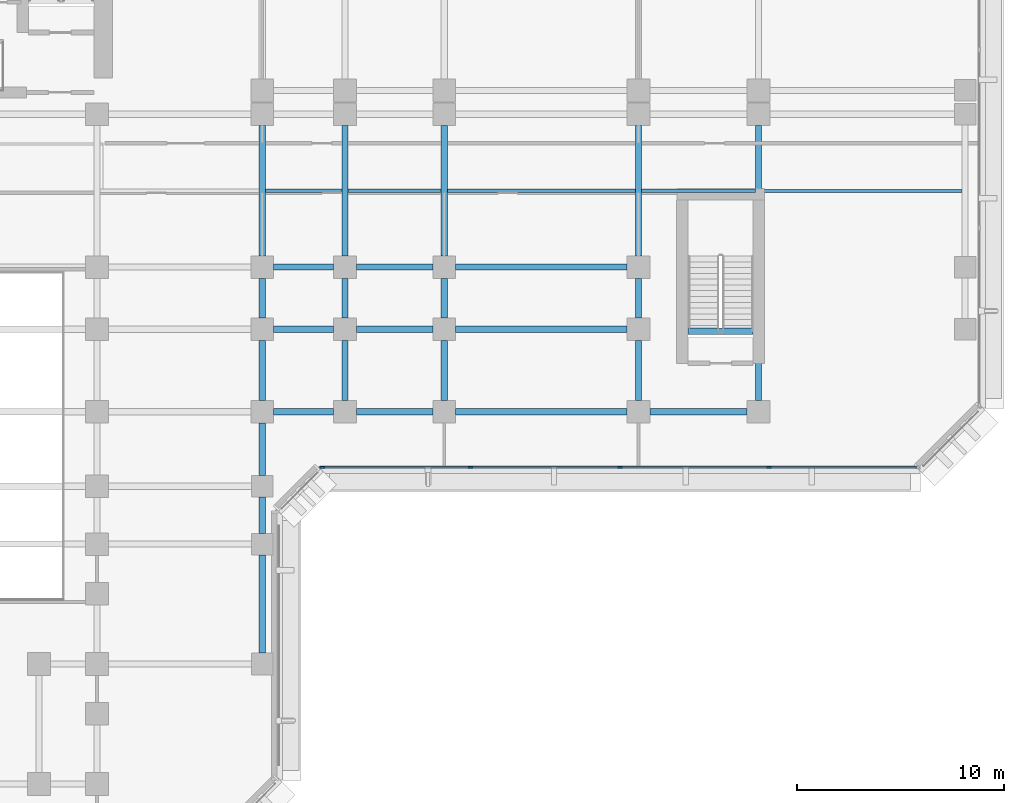
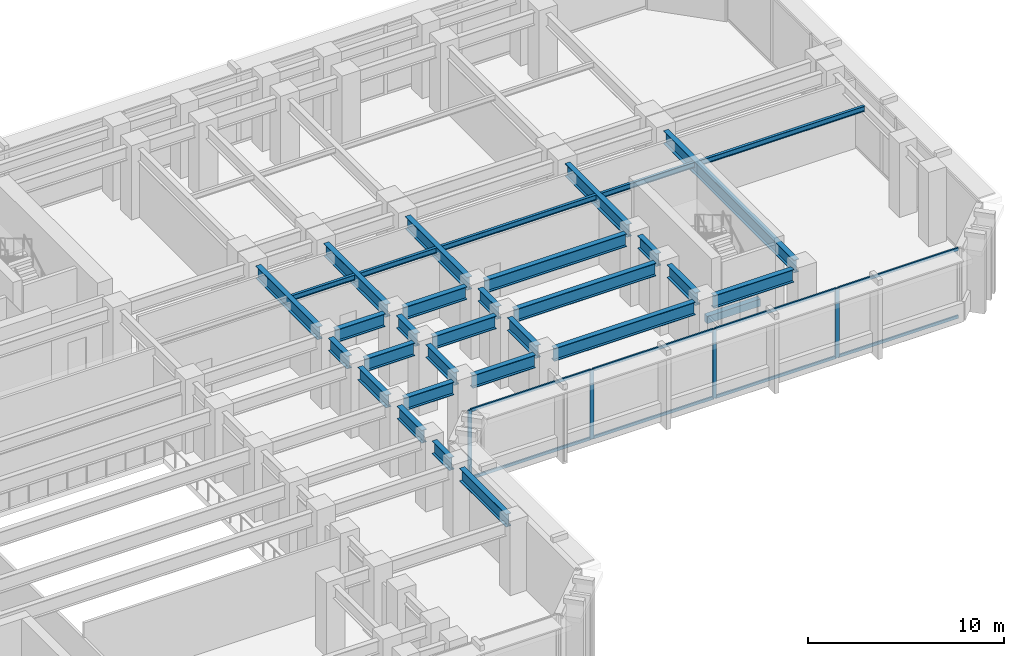
# One storey, part 3 of 16: 32 beams, 12 members, 1 element without a shape of its own.
"""IFC4 building model written with IfcOpenShell, lengths in metres."""

from ifc_helpers import new_model, si_unit, direction, frame, origin, origin_2d, place, context, subcontext, project, spatial, rectangle, i_section, extrude, material, layer, layer_set, material_profile, profile_set, type_object, element, aggregate, save


model = new_model("IFC4")

# Units and contexts
model_context = context("Model", 3, precision=1e-05, world=origin(), true_north=direction((0.0, 1.0)))
body_context = subcontext(model_context, "Body", "Model", "MODEL_VIEW")
ifc_project = project(units=[si_unit("LENGTHUNIT", "METRE"), si_unit("AREAUNIT", "SQUARE_METRE"), si_unit("VOLUMEUNIT", "CUBIC_METRE"), si_unit("PLANEANGLEUNIT", "RADIAN"), si_unit("MASSUNIT", "GRAM", prefix="KILO")], contexts=[model_context])

# Site, building, storey
site_placement = place(None, origin())
site = spatial("IfcSite", under=ifc_project, at=site_placement, CompositionType="ELEMENT")
building_placement = place(site_placement, origin())
building = spatial("IfcBuilding", under=site, at=building_placement, Name="Kefirva Bronze Tower", CompositionType="ELEMENT")
storey_placement = place(building_placement, frame((0.0, 0.0, 16.5)))
storey = spatial("IfcBuildingStorey", under=building, at=storey_placement, Name="L03", CompositionType="ELEMENT", Elevation=16.5)

# Curtain wall, members
ifc_material_1 = material(Name="Bronze anodised aluminium", Category="aluminium")
ifc_layer = layer(ifc_material_1, 0.239990234375, Name="Bronze anodised aluminium")
ifc_layer_set = layer_set([ifc_layer], Name="Bronze anodised aluminium")
curtain_wall_type = type_object("IfcCurtainWallType", Name="Podium Double-Height Glazed Curtain Wall", PredefinedType="USERDEFINED", material=ifc_layer_set)
curtain_wall_placement = place(storey_placement, origin())
curtain_wall = element("IfcCurtainWall", 1, at=curtain_wall_placement, inside=storey, type_object=curtain_wall_type, Name="L03 Curtain Wall 2", ObjectType="UNITISED CURTAIN WALL", PredefinedType="USERDEFINED")
ifc_material_profile_1 = material_profile(ifc_material_1, rectangle(XDim=0.090087890625, YDim=0.219970703125, at=origin_2d()), Name="ALU 90x220")
ifc_profile_set_1 = profile_set([ifc_material_profile_1], Name="Bronze anodised aluminium")
member_type_1 = type_object("IfcMemberType", Name="Bronze Mullion 90x220", PredefinedType="MULLION", material=ifc_profile_set_1)
member_1_placement = place(storey_placement, frame((34.10009765625, 16.1201171875, 0.0), z_axis=(0.0, 0.0, 1.0), x_axis=(0.0, 1.0, 0.0)))
member_1 = element("IfcMember", 2, at=member_1_placement, type_object=member_type_1, Name="CW-05 mullion 1", PredefinedType="MULLION", context=body_context, shape_type="SweptSolid", body=[
    extrude(rectangle(XDim=0.090087890625, YDim=0.219970703125, at=origin_2d()), origin(), (0.0, 0.0, 1.0), 4.300048828125),
])
member_2_placement = place(storey_placement, frame((41.277587890625, 16.1201171875, 0.0), z_axis=(0.0, 0.0, 1.0), x_axis=(0.0, 1.0, 0.0)))
member_2 = element("IfcMember", 3, at=member_2_placement, type_object=member_type_1, Name="CW-05 mullion 2", PredefinedType="MULLION", context=body_context, shape_type="SweptSolid", body=[
    extrude(rectangle(XDim=0.090087890625, YDim=0.219970703125, at=origin_2d()), origin(), (0.0, 0.0, 1.0), 4.300048828125),
])
member_3_placement = place(storey_placement, frame((48.5, 16.1201171875, 0.0), z_axis=(0.0, 0.0, 1.0), x_axis=(0.0, 1.0, 0.0)))
member_3 = element("IfcMember", 4, at=member_3_placement, type_object=member_type_1, Name="CW-05 mullion 3", PredefinedType="MULLION", context=body_context, shape_type="SweptSolid", body=[
    extrude(rectangle(XDim=0.090087890625, YDim=0.219970703125, at=origin_2d()), origin(), (0.0, 0.0, 1.0), 4.300048828125),
])
member_4_placement = place(storey_placement, frame((55.722412109375, 16.1201171875, 0.0), z_axis=(0.0, 0.0, 1.0), x_axis=(0.0, 1.0, 0.0)))
member_4 = element("IfcMember", 5, at=member_4_placement, type_object=member_type_1, Name="CW-05 mullion 4", PredefinedType="MULLION", context=body_context, shape_type="SweptSolid", body=[
    extrude(rectangle(XDim=0.090087890625, YDim=0.219970703125, at=origin_2d()), origin(), (0.0, 0.0, 1.0), 4.300048828125),
])
ifc_material_profile_2 = material_profile(ifc_material_1, rectangle(XDim=0.090087890625, YDim=0.179931640625, at=origin_2d()), Name="ALU 90x180")
ifc_profile_set_2 = profile_set([ifc_material_profile_2], Name="Bronze anodised aluminium")
member_type_2 = type_object("IfcMemberType", Name="Bronze Transom 90x180", PredefinedType="USERDEFINED", material=ifc_profile_set_2)
member_5_placement = place(storey_placement, frame((34.14501953125, 16.1201171875, 0.044921875), z_axis=(1.0, 0.0, 0.0), x_axis=(0.0, 1.0, 0.0)))
member_5 = element("IfcMember", 6, at=member_5_placement, type_object=member_type_2, Name="CW-05 transom 1.1", ObjectType="TRANSOM", PredefinedType="USERDEFINED", context=body_context, shape_type="SweptSolid", body=[
    extrude(rectangle(XDim=0.090087890625, YDim=0.179931640625, at=origin_2d()), origin(), (0.0, 0.0, 1.0), 7.08740234375),
])
member_6_placement = place(storey_placement, frame((34.14501953125, 16.1201171875, 4.2548828125), z_axis=(1.0, 0.0, 0.0), x_axis=(0.0, 1.0, 0.0)))
member_6 = element("IfcMember", 7, at=member_6_placement, type_object=member_type_2, Name="CW-05 transom 1.2", ObjectType="TRANSOM", PredefinedType="USERDEFINED", context=body_context, shape_type="SweptSolid", body=[
    extrude(rectangle(XDim=0.090087890625, YDim=0.179931640625, at=origin_2d()), origin(), (0.0, 0.0, 1.0), 7.08740234375),
])
member_7_placement = place(storey_placement, frame((41.322509765625, 16.1201171875, 0.044921875), z_axis=(1.0, 0.0, 0.0), x_axis=(0.0, 1.0, 0.0)))
member_7 = element("IfcMember", 8, at=member_7_placement, type_object=member_type_2, Name="CW-05 transom 2.1", ObjectType="TRANSOM", PredefinedType="USERDEFINED", context=body_context, shape_type="SweptSolid", body=[
    extrude(rectangle(XDim=0.090087890625, YDim=0.179931640625, at=origin_2d()), origin(), (0.0, 0.0, 1.0), 7.132568359375),
])
member_8_placement = place(storey_placement, frame((41.322509765625, 16.1201171875, 4.2548828125), z_axis=(1.0, 0.0, 0.0), x_axis=(0.0, 1.0, 0.0)))
member_8 = element("IfcMember", 9, at=member_8_placement, type_object=member_type_2, Name="CW-05 transom 2.2", ObjectType="TRANSOM", PredefinedType="USERDEFINED", context=body_context, shape_type="SweptSolid", body=[
    extrude(rectangle(XDim=0.090087890625, YDim=0.179931640625, at=origin_2d()), origin(), (0.0, 0.0, 1.0), 7.132568359375),
])
member_9_placement = place(storey_placement, frame((48.544921875, 16.1201171875, 0.044921875), z_axis=(1.0, 0.0, 0.0), x_axis=(0.0, 1.0, 0.0)))
member_9 = element("IfcMember", 10, at=member_9_placement, type_object=member_type_2, Name="CW-05 transom 3.1", ObjectType="TRANSOM", PredefinedType="USERDEFINED", context=body_context, shape_type="SweptSolid", body=[
    extrude(rectangle(XDim=0.090087890625, YDim=0.179931640625, at=origin_2d()), origin(), (0.0, 0.0, 1.0), 7.132568359375),
])
member_10_placement = place(storey_placement, frame((48.544921875, 16.1201171875, 4.2548828125), z_axis=(1.0, 0.0, 0.0), x_axis=(0.0, 1.0, 0.0)))
member_10 = element("IfcMember", 11, at=member_10_placement, type_object=member_type_2, Name="CW-05 transom 3.2", ObjectType="TRANSOM", PredefinedType="USERDEFINED", context=body_context, shape_type="SweptSolid", body=[
    extrude(rectangle(XDim=0.090087890625, YDim=0.179931640625, at=origin_2d()), origin(), (0.0, 0.0, 1.0), 7.132568359375),
])
member_11_placement = place(storey_placement, frame((55.767578125, 16.1201171875, 0.044921875), z_axis=(1.0, 0.0, 0.0), x_axis=(0.0, 1.0, 0.0)))
member_11 = element("IfcMember", 12, at=member_11_placement, type_object=member_type_2, Name="CW-05 transom 4.1", ObjectType="TRANSOM", PredefinedType="USERDEFINED", context=body_context, shape_type="SweptSolid", body=[
    extrude(rectangle(XDim=0.090087890625, YDim=0.179931640625, at=origin_2d()), origin(), (0.0, 0.0, 1.0), 7.08740234375),
])
member_12_placement = place(storey_placement, frame((55.767578125, 16.1201171875, 4.2548828125), z_axis=(1.0, 0.0, 0.0), x_axis=(0.0, 1.0, 0.0)))
member_12 = element("IfcMember", 13, at=member_12_placement, type_object=member_type_2, Name="CW-05 transom 4.2", ObjectType="TRANSOM", PredefinedType="USERDEFINED", context=body_context, shape_type="SweptSolid", body=[
    extrude(rectangle(XDim=0.090087890625, YDim=0.179931640625, at=origin_2d()), origin(), (0.0, 0.0, 1.0), 7.08740234375),
])
aggregate(curtain_wall, [member_1, member_2, member_3, member_4, member_5, member_6, member_7, member_8, member_9, member_10, member_11, member_12])

# Beams
ifc_material_2 = material(Name="Concrete C50/60", Category="concrete")
ifc_material_profile_3 = material_profile(ifc_material_2, rectangle(XDim=0.300048828125, YDim=0.449951171875, at=origin_2d()), Name="RC 300x450")
ifc_profile_set_3 = profile_set([ifc_material_profile_3], Name="Concrete C50/60")
beam_type_1 = type_object("IfcBeamType", Name="RC Stair Trimmer Beam 300x450", PredefinedType="BEAM", material=ifc_profile_set_3)
beam_1_placement = place(storey_placement, frame((51.794921875, 22.699951171875, -0.22509765625), z_axis=(1.0, 0.0, 0.0), x_axis=(0.0, 1.0, 0.0)))
element("IfcBeam", 14, at=beam_1_placement, inside=storey, type_object=beam_type_1, Name="L03 Stair 4 Landing Trimmer Beam", PredefinedType="BEAM", context=body_context, shape_type="SweptSolid", body=[
    extrude(rectangle(XDim=0.300048828125, YDim=0.449951171875, at=origin_2d()), origin(), (0.0, 0.0, 1.0), 3.150146484375),
])
ifc_material_3 = material(Name="Steel S355", Category="steel")
ifc_material_profile_4 = material_profile(ifc_material_3, i_section(OverallWidth=0.159912109375, OverallDepth=0.330078125, WebThickness=0.007568359375, FlangeThickness=0.011474609375, at=origin_2d()), Name="IPE 330")
ifc_profile_set_4 = profile_set([ifc_material_profile_4], Name="Steel S355")
beam_type_2 = type_object("IfcBeamType", Name="Steel Floor Joist IPE 330", PredefinedType="JOIST", material=ifc_profile_set_4)
beam_2_placement = place(storey_placement, frame((31.35009765625, 29.5, 4.135009765625), z_axis=(1.0, 0.0, 0.0), x_axis=(0.0, 1.0, 0.0)))
element("IfcBeam", 15, at=beam_2_placement, inside=storey, type_object=beam_type_2, Name="L03 JST-L03-31-295", PredefinedType="JOIST", context=body_context, shape_type="SweptSolid", body=[
    extrude(i_section(OverallWidth=0.159912109375, OverallDepth=0.330078125, WebThickness=0.007568359375, FlangeThickness=0.011474609375, at=origin_2d()), origin(), (0.0, 0.0, 1.0), 3.699951171875),
])
beam_3_placement = place(storey_placement, frame((35.35009765625, 29.5, 4.135009765625), z_axis=(1.0, 0.0, 0.0), x_axis=(0.0, 1.0, 0.0)))
element("IfcBeam", 16, at=beam_3_placement, inside=storey, type_object=beam_type_2, Name="L03 JST-L03-35-295", PredefinedType="JOIST", context=body_context, shape_type="SweptSolid", body=[
    extrude(i_section(OverallWidth=0.159912109375, OverallDepth=0.330078125, WebThickness=0.007568359375, FlangeThickness=0.011474609375, at=origin_2d()), origin(), (0.0, 0.0, 1.0), 4.5),
])
beam_4_placement = place(storey_placement, frame((40.14990234375, 29.5, 4.135009765625), z_axis=(1.0, 0.0, 0.0), x_axis=(0.0, 1.0, 0.0)))
element("IfcBeam", 17, at=beam_4_placement, inside=storey, type_object=beam_type_2, Name="L03 JST-L03-40-295", PredefinedType="JOIST", context=body_context, shape_type="SweptSolid", body=[
    extrude(i_section(OverallWidth=0.159912109375, OverallDepth=0.330078125, WebThickness=0.007568359375, FlangeThickness=0.011474609375, at=origin_2d()), origin(), (0.0, 0.0, 1.0), 9.10009765625),
])
beam_5_placement = place(storey_placement, frame((49.550048828125, 29.5, 4.135009765625), z_axis=(1.0, 0.0, 0.0), x_axis=(0.0, 1.0, 0.0)))
element("IfcBeam", 18, at=beam_5_placement, inside=storey, type_object=beam_type_2, Name="L03 JST-L03-49-295", PredefinedType="JOIST", context=body_context, shape_type="SweptSolid", body=[
    extrude(i_section(OverallWidth=0.159912109375, OverallDepth=0.330078125, WebThickness=0.007568359375, FlangeThickness=0.011474609375, at=origin_2d()), origin(), (0.0, 0.0, 1.0), 5.5),
])
beam_6_placement = place(storey_placement, frame((55.35009765625, 29.487548828125, 4.135009765625), z_axis=(1.0, 0.0, 0.0), x_axis=(0.0, 1.0, 0.0)))
element("IfcBeam", 19, at=beam_6_placement, inside=storey, type_object=beam_type_2, Name="L03 JST-L03-55-294", PredefinedType="JOIST", context=body_context, shape_type="SweptSolid", body=[
    extrude(i_section(OverallWidth=0.159912109375, OverallDepth=0.330078125, WebThickness=0.007568359375, FlangeThickness=0.011474609375, at=origin_2d()), origin(), (0.0, 0.0, 1.0), 9.699951171875),
])
ifc_material_profile_5 = material_profile(ifc_material_3, i_section(OverallWidth=0.300048828125, OverallDepth=0.800048828125, WebThickness=0.017578125, FlangeThickness=0.032958984375, at=origin_2d()), Name="HEB 800")
ifc_profile_set_5 = profile_set([ifc_material_profile_5], Name="Steel S355")
beam_type_3 = type_object("IfcBeamType", Name="Steel Girder HEB 800", PredefinedType="USERDEFINED", material=ifc_profile_set_5)
beam_7_placement = place(storey_placement, frame((31.75, 18.800048828125, 3.89990234375), z_axis=(1.0, 0.0, 0.0), x_axis=(0.0, 1.0, 0.0)))
element("IfcBeam", 20, at=beam_7_placement, inside=storey, type_object=beam_type_3, Name="L03 BM-L03-EW-31-188", ObjectType="GIRDER", PredefinedType="USERDEFINED", context=body_context, shape_type="SweptSolid", body=[
    extrude(i_section(OverallWidth=0.300048828125, OverallDepth=0.800048828125, WebThickness=0.017578125, FlangeThickness=0.032958984375, at=origin_2d()), origin(), (0.0, 0.0, 1.0), 2.89990234375),
])
beam_8_placement = place(storey_placement, frame((35.75, 18.800048828125, 3.89990234375), z_axis=(1.0, 0.0, 0.0), x_axis=(0.0, 1.0, 0.0)))
element("IfcBeam", 21, at=beam_8_placement, inside=storey, type_object=beam_type_3, Name="L03 BM-L03-EW-35-188", ObjectType="GIRDER", PredefinedType="USERDEFINED", context=body_context, shape_type="SweptSolid", body=[
    extrude(i_section(OverallWidth=0.300048828125, OverallDepth=0.800048828125, WebThickness=0.017578125, FlangeThickness=0.032958984375, at=origin_2d()), origin(), (0.0, 0.0, 1.0), 3.699951171875),
])
beam_9_placement = place(storey_placement, frame((40.550048828125, 18.800048828125, 3.89990234375), z_axis=(1.0, 0.0, 0.0), x_axis=(0.0, 1.0, 0.0)))
element("IfcBeam", 22, at=beam_9_placement, inside=storey, type_object=beam_type_3, Name="L03 BM-L03-EW-40-188", ObjectType="GIRDER", PredefinedType="USERDEFINED", context=body_context, shape_type="SweptSolid", body=[
    extrude(i_section(OverallWidth=0.300048828125, OverallDepth=0.800048828125, WebThickness=0.017578125, FlangeThickness=0.032958984375, at=origin_2d()), origin(), (0.0, 0.0, 1.0), 8.300048828125),
])
beam_10_placement = place(storey_placement, frame((49.949951171875, 18.800048828125, 3.89990234375), z_axis=(1.0, 0.0, 0.0), x_axis=(0.0, 1.0, 0.0)))
element("IfcBeam", 23, at=beam_10_placement, inside=storey, type_object=beam_type_3, Name="L03 BM-L03-EW-49-188", ObjectType="GIRDER", PredefinedType="USERDEFINED", context=body_context, shape_type="SweptSolid", body=[
    extrude(i_section(OverallWidth=0.300048828125, OverallDepth=0.800048828125, WebThickness=0.017578125, FlangeThickness=0.032958984375, at=origin_2d()), origin(), (0.0, 0.0, 1.0), 4.699951171875),
])
beam_11_placement = place(storey_placement, frame((31.75, 22.800048828125, 3.89990234375), z_axis=(1.0, 0.0, 0.0), x_axis=(0.0, 1.0, 0.0)))
element("IfcBeam", 24, at=beam_11_placement, inside=storey, type_object=beam_type_3, Name="L03 BM-L03-EW-31-228", ObjectType="GIRDER", PredefinedType="USERDEFINED", context=body_context, shape_type="SweptSolid", body=[
    extrude(i_section(OverallWidth=0.300048828125, OverallDepth=0.800048828125, WebThickness=0.017578125, FlangeThickness=0.032958984375, at=origin_2d()), origin(), (0.0, 0.0, 1.0), 2.89990234375),
])
beam_12_placement = place(storey_placement, frame((35.75, 22.800048828125, 3.89990234375), z_axis=(1.0, 0.0, 0.0), x_axis=(0.0, 1.0, 0.0)))
element("IfcBeam", 25, at=beam_12_placement, inside=storey, type_object=beam_type_3, Name="L03 BM-L03-EW-35-228", ObjectType="GIRDER", PredefinedType="USERDEFINED", context=body_context, shape_type="SweptSolid", body=[
    extrude(i_section(OverallWidth=0.300048828125, OverallDepth=0.800048828125, WebThickness=0.017578125, FlangeThickness=0.032958984375, at=origin_2d()), origin(), (0.0, 0.0, 1.0), 3.699951171875),
])
beam_13_placement = place(storey_placement, frame((40.550048828125, 22.800048828125, 3.89990234375), z_axis=(1.0, 0.0, 0.0), x_axis=(0.0, 1.0, 0.0)))
element("IfcBeam", 26, at=beam_13_placement, inside=storey, type_object=beam_type_3, Name="L03 BM-L03-EW-40-228", ObjectType="GIRDER", PredefinedType="USERDEFINED", context=body_context, shape_type="SweptSolid", body=[
    extrude(i_section(OverallWidth=0.300048828125, OverallDepth=0.800048828125, WebThickness=0.017578125, FlangeThickness=0.032958984375, at=origin_2d()), origin(), (0.0, 0.0, 1.0), 8.300048828125),
])
beam_14_placement = place(storey_placement, frame((31.75, 25.800048828125, 3.89990234375), z_axis=(1.0, 0.0, 0.0), x_axis=(0.0, 1.0, 0.0)))
element("IfcBeam", 27, at=beam_14_placement, inside=storey, type_object=beam_type_3, Name="L03 BM-L03-EW-31-258", ObjectType="GIRDER", PredefinedType="USERDEFINED", context=body_context, shape_type="SweptSolid", body=[
    extrude(i_section(OverallWidth=0.300048828125, OverallDepth=0.800048828125, WebThickness=0.017578125, FlangeThickness=0.032958984375, at=origin_2d()), origin(), (0.0, 0.0, 1.0), 2.89990234375),
])
beam_15_placement = place(storey_placement, frame((35.75, 25.800048828125, 3.89990234375), z_axis=(1.0, 0.0, 0.0), x_axis=(0.0, 1.0, 0.0)))
element("IfcBeam", 28, at=beam_15_placement, inside=storey, type_object=beam_type_3, Name="L03 BM-L03-EW-35-258", ObjectType="GIRDER", PredefinedType="USERDEFINED", context=body_context, shape_type="SweptSolid", body=[
    extrude(i_section(OverallWidth=0.300048828125, OverallDepth=0.800048828125, WebThickness=0.017578125, FlangeThickness=0.032958984375, at=origin_2d()), origin(), (0.0, 0.0, 1.0), 3.699951171875),
])
beam_16_placement = place(storey_placement, frame((40.550048828125, 25.800048828125, 3.89990234375), z_axis=(1.0, 0.0, 0.0), x_axis=(0.0, 1.0, 0.0)))
element("IfcBeam", 29, at=beam_16_placement, inside=storey, type_object=beam_type_3, Name="L03 BM-L03-EW-40-258", ObjectType="GIRDER", PredefinedType="USERDEFINED", context=body_context, shape_type="SweptSolid", body=[
    extrude(i_section(OverallWidth=0.300048828125, OverallDepth=0.800048828125, WebThickness=0.017578125, FlangeThickness=0.032958984375, at=origin_2d()), origin(), (0.0, 0.0, 1.0), 8.300048828125),
])
beam_17_placement = place(storey_placement, frame((31.199951171875, 7.125, 3.89990234375), z_axis=(0.0, 1.0, 0.0), x_axis=(-1.0, 0.0, 0.0)))
element("IfcBeam", 30, at=beam_17_placement, inside=storey, type_object=beam_type_3, Name="L03 BM-L03-NS-312-6", ObjectType="GIRDER", PredefinedType="USERDEFINED", context=body_context, shape_type="SweptSolid", body=[
    extrude(i_section(OverallWidth=0.300048828125, OverallDepth=0.800048828125, WebThickness=0.017578125, FlangeThickness=0.032958984375, at=origin_2d()), origin(), (0.0, 0.0, 1.0), 4.75),
])
beam_18_placement = place(storey_placement, frame((31.199951171875, 12.925048828125, 3.89990234375), z_axis=(0.0, 1.0, 0.0), x_axis=(-1.0, 0.0, 0.0)))
element("IfcBeam", 31, at=beam_18_placement, inside=storey, type_object=beam_type_3, Name="L03 BM-L03-NS-312-12", ObjectType="GIRDER", PredefinedType="USERDEFINED", context=body_context, shape_type="SweptSolid", body=[
    extrude(i_section(OverallWidth=0.300048828125, OverallDepth=0.800048828125, WebThickness=0.017578125, FlangeThickness=0.032958984375, at=origin_2d()), origin(), (0.0, 0.0, 1.0), 1.75),
])
beam_19_placement = place(storey_placement, frame((31.199951171875, 15.72509765625, 3.89990234375), z_axis=(0.0, 1.0, 0.0), x_axis=(-1.0, 0.0, 0.0)))
element("IfcBeam", 32, at=beam_19_placement, inside=storey, type_object=beam_type_3, Name="L03 BM-L03-NS-312-15", ObjectType="GIRDER", PredefinedType="USERDEFINED", context=body_context, shape_type="SweptSolid", body=[
    extrude(i_section(OverallWidth=0.300048828125, OverallDepth=0.800048828125, WebThickness=0.017578125, FlangeThickness=0.032958984375, at=origin_2d()), origin(), (0.0, 0.0, 1.0), 2.52490234375),
])
beam_20_placement = place(storey_placement, frame((31.199951171875, 19.35009765625, 3.89990234375), z_axis=(0.0, 1.0, 0.0), x_axis=(-1.0, 0.0, 0.0)))
element("IfcBeam", 33, at=beam_20_placement, inside=storey, type_object=beam_type_3, Name="L03 BM-L03-NS-312-18", ObjectType="GIRDER", PredefinedType="USERDEFINED", context=body_context, shape_type="SweptSolid", body=[
    extrude(i_section(OverallWidth=0.300048828125, OverallDepth=0.800048828125, WebThickness=0.017578125, FlangeThickness=0.032958984375, at=origin_2d()), origin(), (0.0, 0.0, 1.0), 2.89990234375),
])
beam_21_placement = place(storey_placement, frame((31.199951171875, 23.35009765625, 3.89990234375), z_axis=(0.0, 1.0, 0.0), x_axis=(-1.0, 0.0, 0.0)))
element("IfcBeam", 34, at=beam_21_placement, inside=storey, type_object=beam_type_3, Name="L03 BM-L03-NS-312-22", ObjectType="GIRDER", PredefinedType="USERDEFINED", context=body_context, shape_type="SweptSolid", body=[
    extrude(i_section(OverallWidth=0.300048828125, OverallDepth=0.800048828125, WebThickness=0.017578125, FlangeThickness=0.032958984375, at=origin_2d()), origin(), (0.0, 0.0, 1.0), 1.89990234375),
])
beam_22_placement = place(storey_placement, frame((31.199951171875, 26.35009765625, 3.89990234375), z_axis=(0.0, 1.0, 0.0), x_axis=(-1.0, 0.0, 0.0)))
element("IfcBeam", 35, at=beam_22_placement, inside=storey, type_object=beam_type_3, Name="L03 BM-L03-NS-312-25", ObjectType="GIRDER", PredefinedType="USERDEFINED", context=body_context, shape_type="SweptSolid", body=[
    extrude(i_section(OverallWidth=0.300048828125, OverallDepth=0.800048828125, WebThickness=0.017578125, FlangeThickness=0.032958984375, at=origin_2d()), origin(), (0.0, 0.0, 1.0), 6.2998046875),
])
beam_23_placement = place(storey_placement, frame((35.199951171875, 19.35009765625, 3.89990234375), z_axis=(0.0, 1.0, 0.0), x_axis=(-1.0, 0.0, 0.0)))
element("IfcBeam", 36, at=beam_23_placement, inside=storey, type_object=beam_type_3, Name="L03 BM-L03-NS-352-18", ObjectType="GIRDER", PredefinedType="USERDEFINED", context=body_context, shape_type="SweptSolid", body=[
    extrude(i_section(OverallWidth=0.300048828125, OverallDepth=0.800048828125, WebThickness=0.017578125, FlangeThickness=0.032958984375, at=origin_2d()), origin(), (0.0, 0.0, 1.0), 2.89990234375),
])
beam_24_placement = place(storey_placement, frame((35.199951171875, 23.35009765625, 3.89990234375), z_axis=(0.0, 1.0, 0.0), x_axis=(-1.0, 0.0, 0.0)))
element("IfcBeam", 37, at=beam_24_placement, inside=storey, type_object=beam_type_3, Name="L03 BM-L03-NS-352-22", ObjectType="GIRDER", PredefinedType="USERDEFINED", context=body_context, shape_type="SweptSolid", body=[
    extrude(i_section(OverallWidth=0.300048828125, OverallDepth=0.800048828125, WebThickness=0.017578125, FlangeThickness=0.032958984375, at=origin_2d()), origin(), (0.0, 0.0, 1.0), 1.89990234375),
])
beam_25_placement = place(storey_placement, frame((35.199951171875, 26.35009765625, 3.89990234375), z_axis=(0.0, 1.0, 0.0), x_axis=(-1.0, 0.0, 0.0)))
element("IfcBeam", 38, at=beam_25_placement, inside=storey, type_object=beam_type_3, Name="L03 BM-L03-NS-352-25", ObjectType="GIRDER", PredefinedType="USERDEFINED", context=body_context, shape_type="SweptSolid", body=[
    extrude(i_section(OverallWidth=0.300048828125, OverallDepth=0.800048828125, WebThickness=0.017578125, FlangeThickness=0.032958984375, at=origin_2d()), origin(), (0.0, 0.0, 1.0), 6.2998046875),
])
beam_26_placement = place(storey_placement, frame((40.0, 19.35009765625, 3.89990234375), z_axis=(0.0, 1.0, 0.0), x_axis=(-1.0, 0.0, 0.0)))
element("IfcBeam", 39, at=beam_26_placement, inside=storey, type_object=beam_type_3, Name="L03 BM-L03-NS-400-18", ObjectType="GIRDER", PredefinedType="USERDEFINED", context=body_context, shape_type="SweptSolid", body=[
    extrude(i_section(OverallWidth=0.300048828125, OverallDepth=0.800048828125, WebThickness=0.017578125, FlangeThickness=0.032958984375, at=origin_2d()), origin(), (0.0, 0.0, 1.0), 2.89990234375),
])
beam_27_placement = place(storey_placement, frame((40.0, 23.35009765625, 3.89990234375), z_axis=(0.0, 1.0, 0.0), x_axis=(-1.0, 0.0, 0.0)))
element("IfcBeam", 40, at=beam_27_placement, inside=storey, type_object=beam_type_3, Name="L03 BM-L03-NS-400-22", ObjectType="GIRDER", PredefinedType="USERDEFINED", context=body_context, shape_type="SweptSolid", body=[
    extrude(i_section(OverallWidth=0.300048828125, OverallDepth=0.800048828125, WebThickness=0.017578125, FlangeThickness=0.032958984375, at=origin_2d()), origin(), (0.0, 0.0, 1.0), 1.89990234375),
])
beam_28_placement = place(storey_placement, frame((40.0, 26.35009765625, 3.89990234375), z_axis=(0.0, 1.0, 0.0), x_axis=(-1.0, 0.0, 0.0)))
element("IfcBeam", 41, at=beam_28_placement, inside=storey, type_object=beam_type_3, Name="L03 BM-L03-NS-400-25", ObjectType="GIRDER", PredefinedType="USERDEFINED", context=body_context, shape_type="SweptSolid", body=[
    extrude(i_section(OverallWidth=0.300048828125, OverallDepth=0.800048828125, WebThickness=0.017578125, FlangeThickness=0.032958984375, at=origin_2d()), origin(), (0.0, 0.0, 1.0), 6.2998046875),
])
beam_29_placement = place(storey_placement, frame((49.39990234375, 19.35009765625, 3.89990234375), z_axis=(0.0, 1.0, 0.0), x_axis=(-1.0, 0.0, 0.0)))
element("IfcBeam", 42, at=beam_29_placement, inside=storey, type_object=beam_type_3, Name="L03 BM-L03-NS-494-18", ObjectType="GIRDER", PredefinedType="USERDEFINED", context=body_context, shape_type="SweptSolid", body=[
    extrude(i_section(OverallWidth=0.300048828125, OverallDepth=0.800048828125, WebThickness=0.017578125, FlangeThickness=0.032958984375, at=origin_2d()), origin(), (0.0, 0.0, 1.0), 2.89990234375),
])
beam_30_placement = place(storey_placement, frame((49.39990234375, 23.35009765625, 3.89990234375), z_axis=(0.0, 1.0, 0.0), x_axis=(-1.0, 0.0, 0.0)))
element("IfcBeam", 43, at=beam_30_placement, inside=storey, type_object=beam_type_3, Name="L03 BM-L03-NS-494-22", ObjectType="GIRDER", PredefinedType="USERDEFINED", context=body_context, shape_type="SweptSolid", body=[
    extrude(i_section(OverallWidth=0.300048828125, OverallDepth=0.800048828125, WebThickness=0.017578125, FlangeThickness=0.032958984375, at=origin_2d()), origin(), (0.0, 0.0, 1.0), 1.89990234375),
])
beam_31_placement = place(storey_placement, frame((49.39990234375, 26.35009765625, 3.89990234375), z_axis=(0.0, 1.0, 0.0), x_axis=(-1.0, 0.0, 0.0)))
element("IfcBeam", 44, at=beam_31_placement, inside=storey, type_object=beam_type_3, Name="L03 BM-L03-NS-494-25", ObjectType="GIRDER", PredefinedType="USERDEFINED", context=body_context, shape_type="SweptSolid", body=[
    extrude(i_section(OverallWidth=0.300048828125, OverallDepth=0.800048828125, WebThickness=0.017578125, FlangeThickness=0.032958984375, at=origin_2d()), origin(), (0.0, 0.0, 1.0), 6.2998046875),
])
beam_32_placement = place(storey_placement, frame((55.199951171875, 19.35009765625, 3.89990234375), z_axis=(0.0, 1.0, 0.0), x_axis=(-1.0, 0.0, 0.0)))
element("IfcBeam", 45, at=beam_32_placement, inside=storey, type_object=beam_type_3, Name="L03 BM-L03-NS-552-18", ObjectType="GIRDER", PredefinedType="USERDEFINED", context=body_context, shape_type="SweptSolid", body=[
    extrude(i_section(OverallWidth=0.300048828125, OverallDepth=0.800048828125, WebThickness=0.017578125, FlangeThickness=0.032958984375, at=origin_2d()), origin(), (0.0, 0.0, 1.0), 13.2998046875),
])

save(model, "model.ifc")
